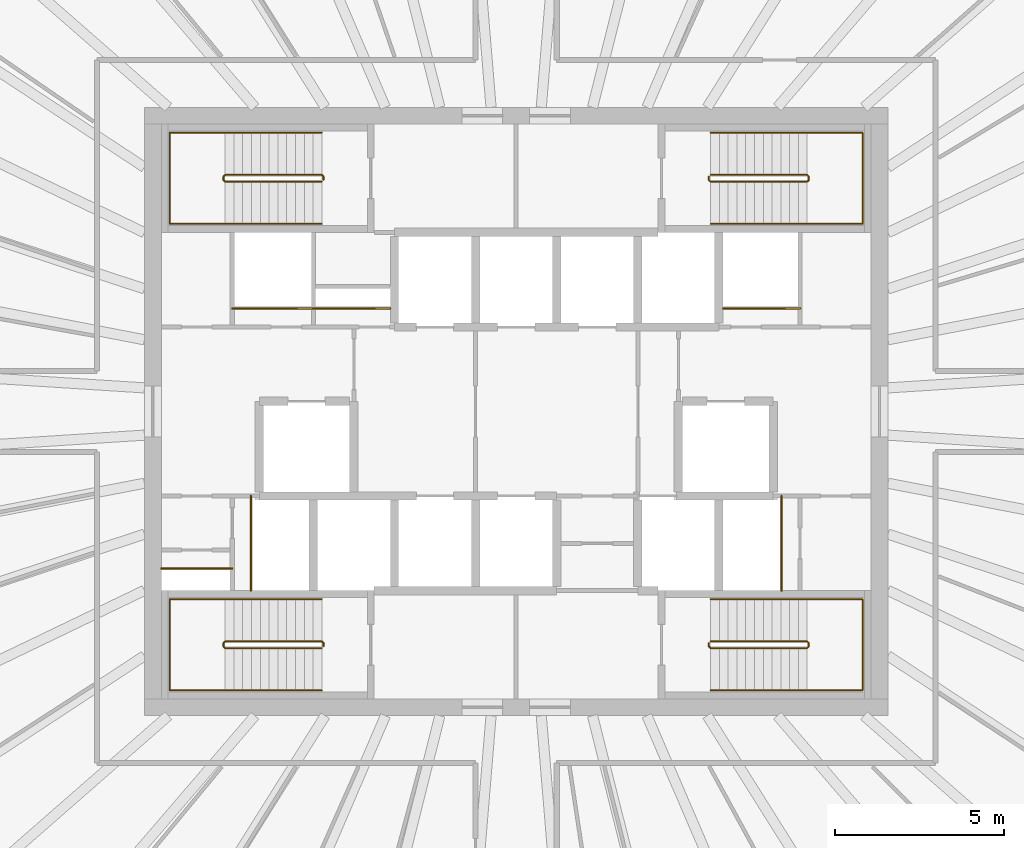
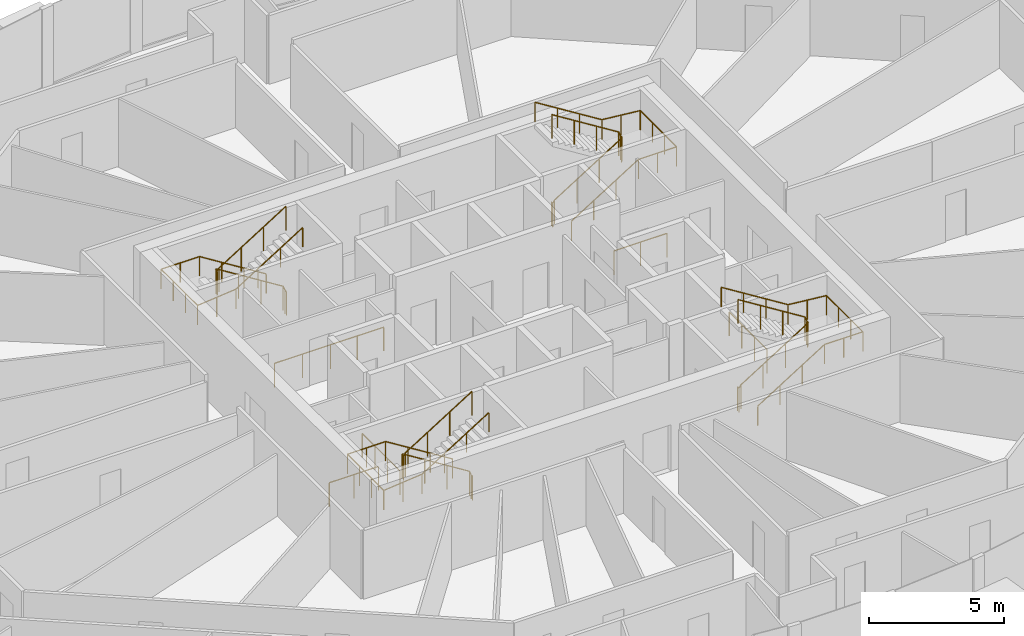
# One storey, part 12 of 12: 14 railings.
"""IFC4 building model written with IfcOpenShell, lengths in metres."""

from ifc_helpers import new_model, si_unit, direction, frame, origin, origin_2d, place, context, subcontext, project, spatial, circle, extrude, source, transform, mapped, material, type_object, element, save


model = new_model("IFC4")

# Units and contexts
model_context = context("Model", 3, precision=1e-05, world=origin(), true_north=direction((0.0, 1.0)))
body_context = subcontext(model_context, "Body", "Model", "MODEL_VIEW")
ifc_project = project(units=[si_unit("LENGTHUNIT", "METRE"), si_unit("AREAUNIT", "SQUARE_METRE"), si_unit("VOLUMEUNIT", "CUBIC_METRE"), si_unit("PLANEANGLEUNIT", "RADIAN"), si_unit("MASSUNIT", "GRAM", prefix="KILO")], contexts=[model_context])

# Site, building, storey
site_placement = place(None, origin())
site = spatial("IfcSite", under=ifc_project, at=site_placement, CompositionType="ELEMENT")
building_placement = place(site_placement, origin())
building = spatial("IfcBuilding", under=site, at=building_placement, Name="Embergate Tower", CompositionType="ELEMENT")
storey_placement = place(building_placement, frame((0.0, 0.0, 261.699951171875)))
storey = spatial("IfcBuildingStorey", under=building, at=storey_placement, Name="L60", CompositionType="ELEMENT", Elevation=261.699951171875)

# Railings
ifc_material_1 = material(Name="Stair guard 1100")
railing_type_1 = type_object("IfcRailingType", Name="Stair guard 1100", PredefinedType="GUARDRAIL", material=ifc_material_1)
shared_shape_1 = source(origin(), body_context, "Body", "SweptSolid", [
    extrude(circle(Radius=0.02392578125, at=origin_2d()), frame((0.0, 0.0, 1.076171875), z_axis=(0.0, 1.0, 0.0), x_axis=(-1.0, 0.0, 0.0)), (0.0, 0.0, 1.0), 0.099853515625),
    extrude(circle(Radius=0.02392578125, at=origin_2d()), frame((0.0, 0.099853515625, 1.076171875), z_axis=(-0.282227285176, 0.282227285176, 0.916894497205), x_axis=(-0.707106781187, -0.707106781187, 0.0)), (0.0, 0.0, 1.0), 0.17724609375),
    extrude(circle(Radius=0.02392578125, at=origin_2d()), frame((-0.050048828125, 0.14990234375, 1.23876953125), z_axis=(-0.848026770018, 0.0, 0.529953391661), x_axis=(0.0, -1.0, 0.0)), (0.0, 0.0, 1.0), 3.37255859375),
    extrude(circle(Radius=0.02392578125, at=origin_2d()), frame((-2.91015625, 0.14990234375, 3.02587890625), z_axis=(-0.705375805398, -0.708833529934, 0.0), x_axis=(0.708833529934, -0.705375805398, 0.0)), (0.0, 0.0, 1.0), 0.070556640625),
    extrude(circle(Radius=0.02392578125, at=origin_2d()), frame((-2.9599609375, 0.099853515625, 3.02587890625), z_axis=(0.0, -1.0, 0.0), x_axis=(1.0, 0.0, 0.0)), (0.0, 0.0, 1.0), 0.099853515625),
    extrude(circle(Radius=0.02392578125, at=origin_2d()), frame((-2.9599609375, 0.0, 3.02587890625), z_axis=(0.280959487676, -0.282336740067, 0.917250092119), x_axis=(0.708833529934, 0.705375805398, 0.0)), (0.0, 0.0, 1.0), 0.17724609375),
    extrude(circle(Radius=0.02392578125, at=origin_2d()), frame((-2.91015625, -0.050048828125, 3.1884765625), z_axis=(0.847994237388, 0.0, 0.530005446535), x_axis=(0.0, 1.0, 0.0)), (0.0, 0.0, 1.0), 3.372802734375),
    extrude(circle(Radius=0.02099609375, at=origin_2d()), origin(), (0.0, 0.0, 1.0), 1.052001953125),
    extrude(circle(Radius=0.02099609375, at=origin_2d()), frame((0.0, 0.099853515625, 0.0)), (0.0, 0.0, 1.0), 1.052001953125),
    extrude(circle(Radius=0.02099609375, at=origin_2d()), frame((-0.050048828125, 0.14990234375, 0.16259765625)), (0.0, 0.0, 1.0), 1.052001953125),
    extrude(circle(Radius=0.02099609375, at=origin_2d()), frame((-1.00341796875, 0.14990234375, 0.75830078125)), (0.0, 0.0, 1.0), 1.052001953125),
    extrude(circle(Radius=0.02099609375, at=origin_2d()), frame((-1.956787109375, 0.14990234375, 1.354248046875)), (0.0, 0.0, 1.0), 1.052001953125),
    extrude(circle(Radius=0.02099609375, at=origin_2d()), frame((-2.91015625, 0.14990234375, 1.949951171875)), (0.0, 0.0, 1.0), 1.052001953125),
    extrude(circle(Radius=0.02099609375, at=origin_2d()), frame((-2.9599609375, 0.099853515625, 1.949951171875)), (0.0, 0.0, 1.0), 1.052001953125),
    extrude(circle(Radius=0.02099609375, at=origin_2d()), frame((-2.9599609375, 0.0, 1.949951171875)), (0.0, 0.0, 1.0), 1.052001953125),
    extrude(circle(Radius=0.02099609375, at=origin_2d()), frame((-2.91015625, -0.050048828125, 2.112548828125)), (0.0, 0.0, 1.0), 1.052001953125),
    extrude(circle(Radius=0.02099609375, at=origin_2d()), frame((-1.956787109375, -0.050048828125, 2.70849609375)), (0.0, 0.0, 1.0), 1.052001953125),
    extrude(circle(Radius=0.02099609375, at=origin_2d()), frame((-1.00341796875, -0.050048828125, 3.30419921875)), (0.0, 0.0, 1.0), 1.052001953125),
    extrude(circle(Radius=0.02099609375, at=origin_2d()), frame((-0.050048828125, -0.050048828125, 3.900146484375)), (0.0, 0.0, 1.0), 1.052001953125),
])
for number, where, name in (
    (1, (-5.699951171875, 6.85009765625, 0.0), "L60 ST1 stair guard 1"),
    (2, (-5.699951171875, -6.949951171875, 0.0), "L60 ST3 stair guard 1"),
):
    element("IfcRailing", number, at=place(storey_placement, frame(where)), inside=storey, type_object=railing_type_1, Name=name, PredefinedType="GUARDRAIL", context=body_context, shape_type="MappedRepresentation", body=[
        mapped(shared_shape_1, transform((0.0, 0.0, 0.0))),
    ])
ifc_material_2 = material(Name="Stair handrail 900")
railing_type_2 = type_object("IfcRailingType", Name="Stair handrail 900", PredefinedType="HANDRAIL", material=ifc_material_2)
shared_shape_2 = source(origin(), body_context, "Body", "SweptSolid", [
    extrude(circle(Radius=0.02392578125, at=origin_2d()), frame((0.0, 0.0, 0.8759765625), z_axis=(-0.848026770018, 0.0, 0.529953391661), x_axis=(0.0, -1.0, 0.0)), (0.0, 0.0, 1.0), 3.37255859375),
    extrude(circle(Radius=0.02392578125, at=origin_2d()), frame((-2.860107421875, 0.0, 2.6630859375), z_axis=(-1.0, 0.0, 0.0), x_axis=(0.0, -1.0, 0.0)), (0.0, 0.0, 1.0), 1.639892578125),
    extrude(circle(Radius=0.02392578125, at=origin_2d()), frame((-4.5, 0.0, 2.6630859375), z_axis=(0.0, -1.0, 0.0), x_axis=(1.0, 0.0, 0.0)), (0.0, 0.0, 1.0), 2.699951171875),
    extrude(circle(Radius=0.02392578125, at=origin_2d()), frame((-4.5, -2.699951171875, 2.6630859375), z_axis=(0.995120448088, 0.0, 0.098667592441), x_axis=(0.0, 1.0, 0.0)), (0.0, 0.0, 1.0), 1.64794921875),
    extrude(circle(Radius=0.02392578125, at=origin_2d()), frame((-2.860107421875, -2.699951171875, 2.82568359375), z_axis=(0.847994237388, 0.0, 0.530005446535), x_axis=(0.0, 1.0, 0.0)), (0.0, 0.0, 1.0), 3.372802734375),
    extrude(circle(Radius=0.02099609375, at=origin_2d()), origin(), (0.0, 0.0, 1.0), 0.851806640625),
    extrude(circle(Radius=0.02099609375, at=origin_2d()), frame((-0.953369140625, 0.0, 0.595703125)), (0.0, 0.0, 1.0), 0.851806640625),
    extrude(circle(Radius=0.02099609375, at=origin_2d()), frame((-1.90673828125, 0.0, 1.191650390625)), (0.0, 0.0, 1.0), 0.851806640625),
    extrude(circle(Radius=0.02099609375, at=origin_2d()), frame((-2.860107421875, 0.0, 1.787353515625)), (0.0, 0.0, 1.0), 0.851806640625),
    extrude(circle(Radius=0.02099609375, at=origin_2d()), frame((-3.68017578125, 0.0, 1.787353515625)), (0.0, 0.0, 1.0), 0.851806640625),
    extrude(circle(Radius=0.02099609375, at=origin_2d()), frame((-4.5, 0.0, 1.787353515625)), (0.0, 0.0, 1.0), 0.851806640625),
    extrude(circle(Radius=0.02099609375, at=origin_2d()), frame((-4.5, -0.89990234375, 1.787353515625)), (0.0, 0.0, 1.0), 0.851806640625),
    extrude(circle(Radius=0.02099609375, at=origin_2d()), frame((-4.5, -1.800048828125, 1.787353515625)), (0.0, 0.0, 1.0), 0.851806640625),
    extrude(circle(Radius=0.02099609375, at=origin_2d()), frame((-4.5, -2.699951171875, 1.787353515625)), (0.0, 0.0, 1.0), 0.851806640625),
    extrude(circle(Radius=0.02099609375, at=origin_2d()), frame((-3.68017578125, -2.699951171875, 1.86865234375)), (0.0, 0.0, 1.0), 0.851806640625),
    extrude(circle(Radius=0.02099609375, at=origin_2d()), frame((-2.860107421875, -2.699951171875, 1.949951171875)), (0.0, 0.0, 1.0), 0.851806640625),
    extrude(circle(Radius=0.02099609375, at=origin_2d()), frame((-1.90673828125, -2.699951171875, 2.5458984375)), (0.0, 0.0, 1.0), 0.851806640625),
    extrude(circle(Radius=0.02099609375, at=origin_2d()), frame((-0.953369140625, -2.699951171875, 3.1416015625)), (0.0, 0.0, 1.0), 0.851806640625),
    extrude(circle(Radius=0.02099609375, at=origin_2d()), frame((0.0, -2.699951171875, 3.737548828125)), (0.0, 0.0, 1.0), 0.851806640625),
])
for number, where, name in (
    (3, (-5.75, 8.25, 0.16259765625), "L60 ST1 stair handrail 1"),
    (4, (-5.75, -5.550048828125, 0.16259765625), "L60 ST3 stair handrail 1"),
):
    element("IfcRailing", number, at=place(storey_placement, frame(where)), inside=storey, type_object=railing_type_2, Name=name, PredefinedType="HANDRAIL", context=body_context, shape_type="MappedRepresentation", body=[
        mapped(shared_shape_2, transform((0.0, 0.0, 0.0))),
    ])
shared_shape_3 = source(origin(), body_context, "Body", "SweptSolid", [
    extrude(circle(Radius=0.02392578125, at=origin_2d()), frame((0.0, 0.0, 1.076171875), z_axis=(0.0, -1.0, 0.0), x_axis=(1.0, 0.0, 0.0)), (0.0, 0.0, 1.0), 0.099853515625),
    extrude(circle(Radius=0.02392578125, at=origin_2d()), frame((0.0, -0.099853515625, 1.076171875), z_axis=(0.282227285176, -0.282227285176, 0.916894497205), x_axis=(0.707106781187, 0.707106781187, 0.0)), (0.0, 0.0, 1.0), 0.17724609375),
    extrude(circle(Radius=0.02392578125, at=origin_2d()), frame((0.050048828125, -0.14990234375, 1.23876953125), z_axis=(0.848026770018, 0.0, 0.529953391661), x_axis=(0.0, 1.0, 0.0)), (0.0, 0.0, 1.0), 3.37255859375),
    extrude(circle(Radius=0.02392578125, at=origin_2d()), frame((2.91015625, -0.14990234375, 3.02587890625), z_axis=(0.705375805398, 0.708833529934, 0.0), x_axis=(-0.708833529934, 0.705375805398, 0.0)), (0.0, 0.0, 1.0), 0.070556640625),
    extrude(circle(Radius=0.02392578125, at=origin_2d()), frame((2.9599609375, -0.099853515625, 3.02587890625), z_axis=(0.0, 1.0, 0.0), x_axis=(-1.0, 0.0, 0.0)), (0.0, 0.0, 1.0), 0.099853515625),
    extrude(circle(Radius=0.02392578125, at=origin_2d()), frame((2.9599609375, 0.0, 3.02587890625), z_axis=(-0.280959487676, 0.282336740067, 0.917250092119), x_axis=(-0.708833529934, -0.705375805398, 0.0)), (0.0, 0.0, 1.0), 0.17724609375),
    extrude(circle(Radius=0.02392578125, at=origin_2d()), frame((2.91015625, 0.050048828125, 3.1884765625), z_axis=(-0.847994237388, 0.0, 0.530005446535), x_axis=(0.0, -1.0, 0.0)), (0.0, 0.0, 1.0), 3.372802734375),
    extrude(circle(Radius=0.02099609375, at=origin_2d()), origin(), (0.0, 0.0, 1.0), 1.052001953125),
    extrude(circle(Radius=0.02099609375, at=origin_2d()), frame((0.0, -0.099853515625, 0.0)), (0.0, 0.0, 1.0), 1.052001953125),
    extrude(circle(Radius=0.02099609375, at=origin_2d()), frame((0.050048828125, -0.14990234375, 0.16259765625)), (0.0, 0.0, 1.0), 1.052001953125),
    extrude(circle(Radius=0.02099609375, at=origin_2d()), frame((1.00341796875, -0.14990234375, 0.75830078125)), (0.0, 0.0, 1.0), 1.052001953125),
    extrude(circle(Radius=0.02099609375, at=origin_2d()), frame((1.956787109375, -0.14990234375, 1.354248046875)), (0.0, 0.0, 1.0), 1.052001953125),
    extrude(circle(Radius=0.02099609375, at=origin_2d()), frame((2.91015625, -0.14990234375, 1.949951171875)), (0.0, 0.0, 1.0), 1.052001953125),
    extrude(circle(Radius=0.02099609375, at=origin_2d()), frame((2.9599609375, -0.099853515625, 1.949951171875)), (0.0, 0.0, 1.0), 1.052001953125),
    extrude(circle(Radius=0.02099609375, at=origin_2d()), frame((2.9599609375, 0.0, 1.949951171875)), (0.0, 0.0, 1.0), 1.052001953125),
    extrude(circle(Radius=0.02099609375, at=origin_2d()), frame((2.91015625, 0.050048828125, 2.112548828125)), (0.0, 0.0, 1.0), 1.052001953125),
    extrude(circle(Radius=0.02099609375, at=origin_2d()), frame((1.956787109375, 0.050048828125, 2.70849609375)), (0.0, 0.0, 1.0), 1.052001953125),
    extrude(circle(Radius=0.02099609375, at=origin_2d()), frame((1.00341796875, 0.050048828125, 3.30419921875)), (0.0, 0.0, 1.0), 1.052001953125),
    extrude(circle(Radius=0.02099609375, at=origin_2d()), frame((0.050048828125, 0.050048828125, 3.900146484375)), (0.0, 0.0, 1.0), 1.052001953125),
])
for number, where, name in (
    (5, (5.699951171875, 6.949951171875, 0.0), "L60 ST2 stair guard 1"),
    (6, (5.699951171875, -6.85009765625, 0.0), "L60 ST4 stair guard 1"),
):
    element("IfcRailing", number, at=place(storey_placement, frame(where)), inside=storey, type_object=railing_type_1, Name=name, PredefinedType="GUARDRAIL", context=body_context, shape_type="MappedRepresentation", body=[
        mapped(shared_shape_3, transform((0.0, 0.0, 0.0))),
    ])
shared_shape_4 = source(origin(), body_context, "Body", "SweptSolid", [
    extrude(circle(Radius=0.02392578125, at=origin_2d()), frame((0.0, 0.0, 0.8759765625), z_axis=(0.848026770018, 0.0, 0.529953391661), x_axis=(0.0, 1.0, 0.0)), (0.0, 0.0, 1.0), 3.37255859375),
    extrude(circle(Radius=0.02392578125, at=origin_2d()), frame((2.860107421875, 0.0, 2.6630859375), z_axis=(1.0, 0.0, 0.0), x_axis=(0.0, 1.0, 0.0)), (0.0, 0.0, 1.0), 1.639892578125),
    extrude(circle(Radius=0.02392578125, at=origin_2d()), frame((4.5, 0.0, 2.6630859375), z_axis=(0.0, 1.0, 0.0), x_axis=(-1.0, 0.0, 0.0)), (0.0, 0.0, 1.0), 2.699951171875),
    extrude(circle(Radius=0.02392578125, at=origin_2d()), frame((4.5, 2.699951171875, 2.6630859375), z_axis=(-0.995120448088, 0.0, 0.098667592441), x_axis=(0.0, -1.0, 0.0)), (0.0, 0.0, 1.0), 1.64794921875),
    extrude(circle(Radius=0.02392578125, at=origin_2d()), frame((2.860107421875, 2.699951171875, 2.82568359375), z_axis=(-0.847994237388, 0.0, 0.530005446535), x_axis=(0.0, -1.0, 0.0)), (0.0, 0.0, 1.0), 3.372802734375),
    extrude(circle(Radius=0.02099609375, at=origin_2d()), origin(), (0.0, 0.0, 1.0), 0.851806640625),
    extrude(circle(Radius=0.02099609375, at=origin_2d()), frame((0.953369140625, 0.0, 0.595703125)), (0.0, 0.0, 1.0), 0.851806640625),
    extrude(circle(Radius=0.02099609375, at=origin_2d()), frame((1.90673828125, 0.0, 1.191650390625)), (0.0, 0.0, 1.0), 0.851806640625),
    extrude(circle(Radius=0.02099609375, at=origin_2d()), frame((2.860107421875, 0.0, 1.787353515625)), (0.0, 0.0, 1.0), 0.851806640625),
    extrude(circle(Radius=0.02099609375, at=origin_2d()), frame((3.68017578125, 0.0, 1.787353515625)), (0.0, 0.0, 1.0), 0.851806640625),
    extrude(circle(Radius=0.02099609375, at=origin_2d()), frame((4.5, 0.0, 1.787353515625)), (0.0, 0.0, 1.0), 0.851806640625),
    extrude(circle(Radius=0.02099609375, at=origin_2d()), frame((4.5, 0.89990234375, 1.787353515625)), (0.0, 0.0, 1.0), 0.851806640625),
    extrude(circle(Radius=0.02099609375, at=origin_2d()), frame((4.5, 1.800048828125, 1.787353515625)), (0.0, 0.0, 1.0), 0.851806640625),
    extrude(circle(Radius=0.02099609375, at=origin_2d()), frame((4.5, 2.699951171875, 1.787353515625)), (0.0, 0.0, 1.0), 0.851806640625),
    extrude(circle(Radius=0.02099609375, at=origin_2d()), frame((3.68017578125, 2.699951171875, 1.86865234375)), (0.0, 0.0, 1.0), 0.851806640625),
    extrude(circle(Radius=0.02099609375, at=origin_2d()), frame((2.860107421875, 2.699951171875, 1.949951171875)), (0.0, 0.0, 1.0), 0.851806640625),
    extrude(circle(Radius=0.02099609375, at=origin_2d()), frame((1.90673828125, 2.699951171875, 2.5458984375)), (0.0, 0.0, 1.0), 0.851806640625),
    extrude(circle(Radius=0.02099609375, at=origin_2d()), frame((0.953369140625, 2.699951171875, 3.1416015625)), (0.0, 0.0, 1.0), 0.851806640625),
    extrude(circle(Radius=0.02099609375, at=origin_2d()), frame((0.0, 2.699951171875, 3.737548828125)), (0.0, 0.0, 1.0), 0.851806640625),
])
for number, where, name in (
    (7, (5.75, 5.550048828125, 0.16259765625), "L60 ST2 stair handrail 1"),
    (8, (5.75, -8.25, 0.16259765625), "L60 ST4 stair handrail 1"),
):
    element("IfcRailing", number, at=place(storey_placement, frame(where)), inside=storey, type_object=railing_type_2, Name=name, PredefinedType="HANDRAIL", context=body_context, shape_type="MappedRepresentation", body=[
        mapped(shared_shape_4, transform((0.0, 0.0, 0.0))),
    ])
ifc_material_3 = material(Name="Opening guard 1100")
railing_type_3 = type_object("IfcRailingType", Name="Opening guard 1100", PredefinedType="GUARDRAIL", material=ifc_material_3)
shared_shape_5 = source(origin(), body_context, "Body", "SweptSolid", [
    extrude(circle(Radius=0.02392578125, at=origin_2d()), frame((0.0, 0.0, 1.076171875), z_axis=(1.0, 0.0, 0.0), x_axis=(0.0, 1.0, 0.0)), (0.0, 0.0, 1.0), 2.27490234375),
    extrude(circle(Radius=0.02099609375, at=origin_2d()), origin(), (0.0, 0.0, 1.0), 1.052001953125),
    extrude(circle(Radius=0.02099609375, at=origin_2d()), frame((1.137451171875, 0.0, 0.0)), (0.0, 0.0, 1.0), 1.052001953125),
    extrude(circle(Radius=0.02099609375, at=origin_2d()), frame((2.27490234375, 0.0, 0.0)), (0.0, 0.0, 1.0), 1.052001953125),
])
for number, where, name in (
    (9, (6.125, 3.050048828125, 0.0), "Riser opening guard"),
    (10, (-6.0, 3.050048828125, 0.0), "Riser opening guard"),
):
    element("IfcRailing", number, at=place(storey_placement, frame(where)), inside=storey, type_object=railing_type_3, Name=name, PredefinedType="GUARDRAIL", context=body_context, shape_type="MappedRepresentation", body=[
        mapped(shared_shape_5, transform((0.0, 0.0, 0.0))),
    ])
shared_shape_6 = source(origin(), body_context, "Body", "SweptSolid", [
    extrude(circle(Radius=0.02392578125, at=origin_2d()), frame((0.0, 0.0, 1.076171875), z_axis=(0.0, 1.0, 0.0), x_axis=(-1.0, 0.0, 0.0)), (0.0, 0.0, 1.0), 2.800048828125),
    extrude(circle(Radius=0.02099609375, at=origin_2d()), origin(), (0.0, 0.0, 1.0), 1.052001953125),
    extrude(circle(Radius=0.02099609375, at=origin_2d()), frame((0.0, 0.933349609375, 0.0)), (0.0, 0.0, 1.0), 1.052001953125),
    extrude(circle(Radius=0.02099609375, at=origin_2d()), frame((0.0, 1.86669921875, 0.0)), (0.0, 0.0, 1.0), 1.052001953125),
    extrude(circle(Radius=0.02099609375, at=origin_2d()), frame((0.0, 2.800048828125, 0.0)), (0.0, 0.0, 1.0), 1.052001953125),
])
for number, where, name in (
    (11, (-7.85009765625, -5.300048828125, 0.0), "Riser opening guard"),
    (12, (7.85009765625, -5.300048828125, 0.0), "Riser opening guard"),
):
    element("IfcRailing", number, at=place(storey_placement, frame(where)), inside=storey, type_object=railing_type_3, Name=name, PredefinedType="GUARDRAIL", context=body_context, shape_type="MappedRepresentation", body=[
        mapped(shared_shape_6, transform((0.0, 0.0, 0.0))),
    ])
shared_shape_7 = source(origin(), body_context, "Body", "SweptSolid", [
    extrude(circle(Radius=0.02392578125, at=origin_2d()), frame((0.0, 0.0, 1.076171875), z_axis=(1.0, 0.0, 0.0), x_axis=(0.0, 1.0, 0.0)), (0.0, 0.0, 1.0), 2.39990234375),
    extrude(circle(Radius=0.02099609375, at=origin_2d()), origin(), (0.0, 0.0, 1.0), 1.052001953125),
    extrude(circle(Radius=0.02099609375, at=origin_2d()), frame((1.199951171875, 0.0, 0.0)), (0.0, 0.0, 1.0), 1.052001953125),
    extrude(circle(Radius=0.02099609375, at=origin_2d()), frame((2.39990234375, 0.0, 0.0)), (0.0, 0.0, 1.0), 1.052001953125),
])
railing_1_placement = place(storey_placement, frame((-8.39990234375, 3.050048828125, 0.0)))
element("IfcRailing", 13, at=railing_1_placement, inside=storey, type_object=railing_type_3, Name="Riser opening guard", PredefinedType="GUARDRAIL", context=body_context, shape_type="MappedRepresentation", body=[
    mapped(shared_shape_7, transform((0.0, 0.0, 0.0))),
])
shared_shape_8 = source(origin(), body_context, "Body", "SweptSolid", [
    extrude(circle(Radius=0.02392578125, at=origin_2d()), frame((0.0, 0.0, 1.076171875), z_axis=(1.0, 0.0, 0.0), x_axis=(0.0, 1.0, 0.0)), (0.0, 0.0, 1.0), 2.10009765625),
    extrude(circle(Radius=0.02099609375, at=origin_2d()), origin(), (0.0, 0.0, 1.0), 1.052001953125),
    extrude(circle(Radius=0.02099609375, at=origin_2d()), frame((1.050048828125, 0.0, 0.0)), (0.0, 0.0, 1.0), 1.052001953125),
    extrude(circle(Radius=0.02099609375, at=origin_2d()), frame((2.10009765625, 0.0, 0.0)), (0.0, 0.0, 1.0), 1.052001953125),
])
railing_2_placement = place(storey_placement, frame((-10.5, -4.64599609375, 0.0)))
element("IfcRailing", 14, at=railing_2_placement, inside=storey, type_object=railing_type_3, Name="Riser opening guard", PredefinedType="GUARDRAIL", context=body_context, shape_type="MappedRepresentation", body=[
    mapped(shared_shape_8, transform((0.0, 0.0, 0.0))),
])

save(model, "model.ifc")
